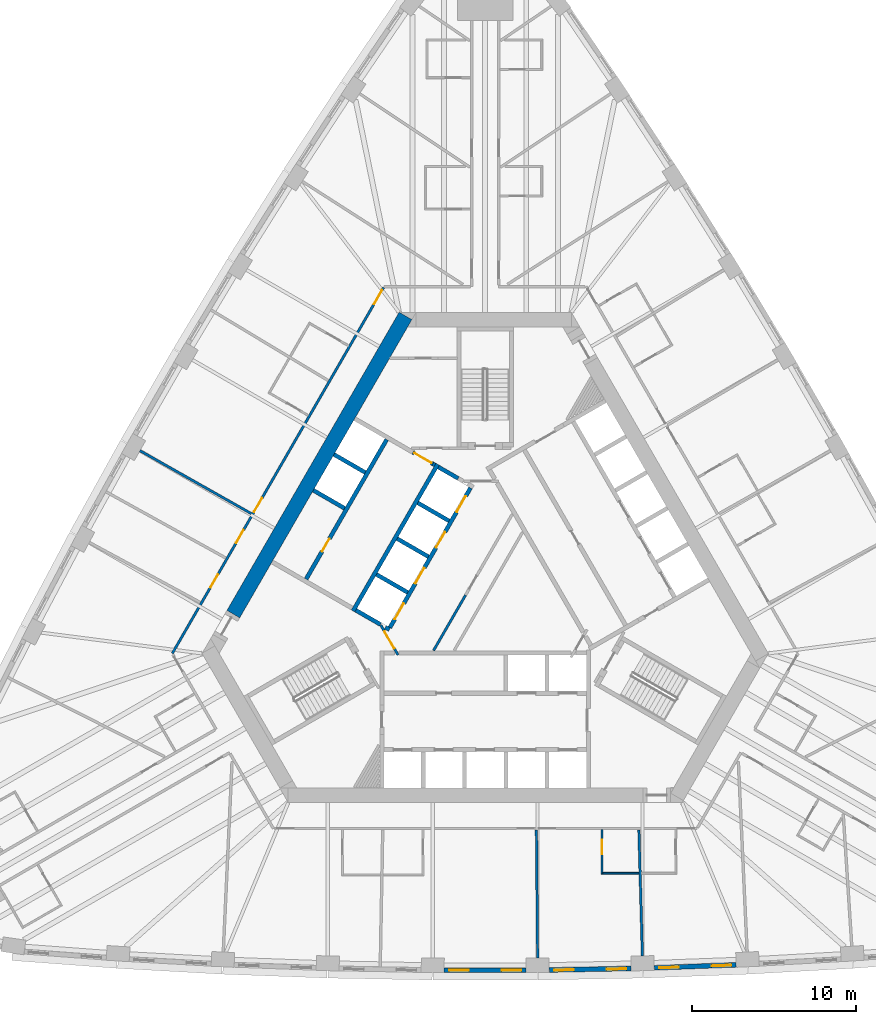
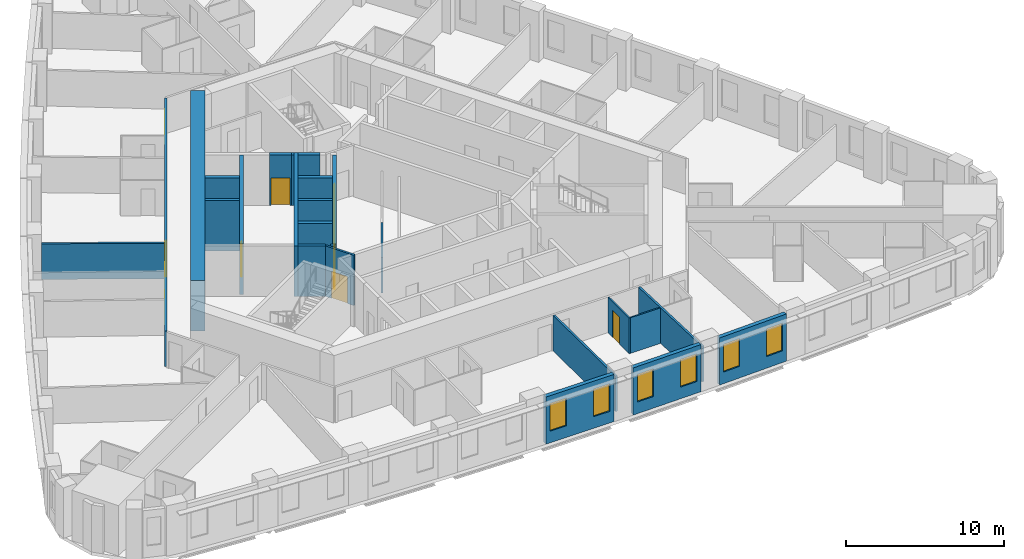
# One storey, part 5 of 12: 25 walls, 12 doors, 6 windows, 18 openings.
"""IFC4 building model written with IfcOpenShell, lengths in metres."""

from ifc_helpers import new_model, si_unit, direction, frame, frame_2d, origin, place, context, subcontext, project, spatial, polyline, rectangle, outline, extrude, material, layer, layer_set, type_object, element, fill, save


model = new_model("IFC4")

# Units and contexts
model_context = context("Model", 3, precision=1e-05, world=origin(), true_north=direction((0.0, 1.0)))
body_context = subcontext(model_context, "Body", "Model", "MODEL_VIEW")
ifc_project = project(units=[si_unit("LENGTHUNIT", "METRE"), si_unit("AREAUNIT", "SQUARE_METRE"), si_unit("VOLUMEUNIT", "CUBIC_METRE"), si_unit("PLANEANGLEUNIT", "RADIAN"), si_unit("MASSUNIT", "GRAM", prefix="KILO")], contexts=[model_context])

# Site, building, storey
site_placement = place(None, origin())
site = spatial("IfcSite", under=ifc_project, at=site_placement, CompositionType="ELEMENT")
building_placement = place(site_placement, origin())
building = spatial("IfcBuilding", under=site, at=building_placement, Name="Mestral Congress Tower", CompositionType="ELEMENT")
storey_placement = place(building_placement, frame((0.0, 0.0, 70.5)))
storey = spatial("IfcBuildingStorey", under=building, at=storey_placement, Name="L16", CompositionType="ELEMENT", Elevation=70.5)

# Walls
ifc_material_1 = material(Name="Fire-rated board partition")
ifc_layer_1 = layer(ifc_material_1, 0.14990234375)
ifc_layer_set_1 = layer_set([ifc_layer_1], Name="Fire-rated board partition")
wall_type_1 = type_object("IfcWallType", Name="Core partition 150", PredefinedType="PARTITIONING", material=ifc_layer_set_1)
wall_1_placement = place(storey_placement, frame((-3.146728515625, -3.71826171875, 0.0), z_axis=(0.0, 0.0, 1.0), x_axis=(0.500010131483, 0.866019554291, 0.0)))
element("IfcWall", 1, at=wall_1_placement, inside=storey, type_object=wall_type_1, Name="L16 core wall", PredefinedType="PARTITIONING", context=body_context, shape_type="SweptSolid", body=[
    extrude(rectangle(XDim=3.8935546875, YDim=0.14990234375, at=frame_2d((1.94677734375, 0.0))), origin(), (0.0, 0.0, 1.0), 2.75),
])
ifc_material_2 = material(Name="Concrete C60/75", Category="concrete")
ifc_layer_2 = layer(ifc_material_2, 0.89990234375)
ifc_layer_set_2 = layer_set([ifc_layer_2], Name="Concrete C60/75")
wall_type_2 = type_object("IfcWallType", Name="Core wall RC 900", PredefinedType="SOLIDWALL", material=ifc_layer_set_2)
wall_2_placement = place(storey_placement, frame((-15.359619140625, -1.50341796875, 0.0), z_axis=(0.0, 0.0, 1.0), x_axis=(0.50000389221, 0.866023156604, 0.0)))
element("IfcWall", 2, at=wall_2_placement, inside=storey, type_object=wall_type_2, Name="L16 core wall", PredefinedType="SOLIDWALL", context=body_context, shape_type="SweptSolid", body=[
    extrude(rectangle(XDim=21.000244140625, YDim=0.89990234375, at=frame_2d((10.5, 0.0))), origin(), (0.0, 0.0, 1.0), 3.89990234375),
])

# Wall, openings, windows
ifc_material_3 = material(Name="Precast concrete C40/50 with limestone facing", Category="masonry")
ifc_layer_3 = layer(ifc_material_3, 0.2900390625)
ifc_layer_set_3 = layer_set([ifc_layer_3], Name="Precast concrete C40/50 with limestone facing")
wall_type_3 = type_object("IfcWallType", Name="Facade stone wall 290", PredefinedType="SOLIDWALL", material=ifc_layer_set_3)
wall_3_placement = place(storey_placement, frame((-2.4990234375, -23.21826171875, 0.0), z_axis=(0.0, 0.0, 1.0), x_axis=(1.0, 0.0, 0.0)))
wall_3 = element("IfcWall", 3, at=wall_3_placement, inside=storey, type_object=wall_type_3, Name="Facade wall F0-04", PredefinedType="SOLIDWALL", context=body_context, shape_type="SweptSolid", body=[
    extrude(rectangle(XDim=4.998046875, YDim=0.2900390625, at=frame_2d((2.4990234375, 0.0))), origin(), (0.0, 0.0, 1.0), 3.64990234375),
])
opening_1_placement = place(wall_3_placement, frame((0.297119140625, 0.0, 0.89990234375)))
opening_1 = element("IfcOpeningElement", 4, at=opening_1_placement, cuts=wall_3, Name="Opening W1", PredefinedType="OPENING", context=body_context, shape_type="SweptSolid", body=[
    extrude(rectangle(XDim=1.199951171875, YDim=2.14990234375, at=frame_2d((0.60009765625, 1.074951171875))), frame((0.0, 0.155029296875, 0.0), z_axis=(0.0, -1.0, 0.0), x_axis=(1.0, 0.0, 0.0)), (0.0, 0.0, 1.0), 0.31005859375),
])
opening_2_placement = place(wall_3_placement, frame((3.501220703125, 0.0, 0.89990234375)))
opening_2 = element("IfcOpeningElement", 5, at=opening_2_placement, cuts=wall_3, Name="Opening W1", PredefinedType="OPENING", context=body_context, shape_type="SweptSolid", body=[
    extrude(rectangle(XDim=1.199951171875, YDim=2.14990234375, at=frame_2d((0.60009765625, 1.074951171875))), frame((0.0, 0.155029296875, 0.0), z_axis=(0.0, -1.0, 0.0), x_axis=(1.0, 0.0, 0.0)), (0.0, 0.0, 1.0), 0.31005859375),
])
ifc_material_4 = material(Name="Clear low-emissivity double glazing", Category="glass")
window_type = type_object("IfcWindowType", Name="Facade punched window 1200 x 2150 sill 900", PartitioningType="DOUBLE_PANEL_VERTICAL", PredefinedType="WINDOW", material=ifc_material_4)
window_1_placement = place(opening_1_placement, origin())
window_1 = element("IfcWindow", 6, at=window_1_placement, inside=storey, type_object=window_type, Name="Window F0-04a", OverallHeight=2.14990234375, OverallWidth=1.199951171875, PartitioningType="DOUBLE_PANEL_VERTICAL", PredefinedType="WINDOW", context=body_context, shape_type="SweptSolid", body=[
    extrude(rectangle(XDim=1.199951171875, YDim=2.14990234375, at=frame_2d((0.60009765625, 1.074951171875))), frame((0.0, 0.01513671875, 0.0), z_axis=(0.0, -1.0, 0.0), x_axis=(1.0, 0.0, 0.0)), (0.0, 0.0, 1.0), 0.06005859375),
])
fill(opening_1, window_1)
window_2_placement = place(opening_2_placement, origin())
window_2 = element("IfcWindow", 7, at=window_2_placement, inside=storey, type_object=window_type, Name="Window F0-04b", OverallHeight=2.14990234375, OverallWidth=1.199951171875, PartitioningType="DOUBLE_PANEL_VERTICAL", PredefinedType="WINDOW", context=body_context, shape_type="SweptSolid", body=[
    extrude(rectangle(XDim=1.199951171875, YDim=2.14990234375, at=frame_2d((0.60009765625, 1.074951171875))), frame((0.0, 0.01513671875, 0.0), z_axis=(0.0, -1.0, 0.0), x_axis=(1.0, 0.0, 0.0)), (0.0, 0.0, 1.0), 0.06005859375),
])
fill(opening_2, window_2)

wall_4_placement = place(storey_placement, frame((3.90625, -23.205078125, 0.0), z_axis=(0.0, 0.0, 1.0), x_axis=(0.999829529479, 0.018463801951, 0.0)))
wall_4 = element("IfcWall", 8, at=wall_4_placement, inside=storey, type_object=wall_type_3, Name="Facade wall F0-05", PredefinedType="SOLIDWALL", context=body_context, shape_type="SweptSolid", body=[
    extrude(rectangle(XDim=4.998046875, YDim=0.2900390625, at=frame_2d((2.4990234375, 0.0))), origin(), (0.0, 0.0, 1.0), 3.64990234375),
])
opening_3_placement = place(wall_4_placement, frame((0.297119140625, 0.0, 0.89990234375)))
opening_3 = element("IfcOpeningElement", 9, at=opening_3_placement, cuts=wall_4, Name="Opening W1", PredefinedType="OPENING", context=body_context, shape_type="SweptSolid", body=[
    extrude(rectangle(XDim=1.199951171875, YDim=2.14990234375, at=frame_2d((0.60009765625, 1.074951171875))), frame((0.0, 0.155029296875, 0.0), z_axis=(0.0, -1.0, 0.0), x_axis=(1.0, 0.0, 0.0)), (0.0, 0.0, 1.0), 0.31005859375),
])
opening_4_placement = place(wall_4_placement, frame((3.501220703125, 0.0, 0.89990234375)))
opening_4 = element("IfcOpeningElement", 10, at=opening_4_placement, cuts=wall_4, Name="Opening W1", PredefinedType="OPENING", context=body_context, shape_type="SweptSolid", body=[
    extrude(rectangle(XDim=1.199951171875, YDim=2.14990234375, at=frame_2d((0.60009765625, 1.074951171875))), frame((0.0, 0.155029296875, 0.0), z_axis=(0.0, -1.0, 0.0), x_axis=(1.0, 0.0, 0.0)), (0.0, 0.0, 1.0), 0.31005859375),
])
window_3_placement = place(opening_3_placement, origin())
window_3 = element("IfcWindow", 11, at=window_3_placement, inside=storey, type_object=window_type, Name="Window F0-05a", OverallHeight=2.14990234375, OverallWidth=1.199951171875, PartitioningType="DOUBLE_PANEL_VERTICAL", PredefinedType="WINDOW", context=body_context, shape_type="SweptSolid", body=[
    extrude(rectangle(XDim=1.199951171875, YDim=2.14990234375, at=frame_2d((0.60009765625, 1.074951171875))), frame((0.0, 0.01513671875, 0.0), z_axis=(0.0, -1.0, 0.0), x_axis=(1.0, 0.0, 0.0)), (0.0, 0.0, 1.0), 0.06005859375),
])
fill(opening_3, window_3)
window_4_placement = place(opening_4_placement, origin())
window_4 = element("IfcWindow", 12, at=window_4_placement, inside=storey, type_object=window_type, Name="Window F0-05b", OverallHeight=2.14990234375, OverallWidth=1.199951171875, PartitioningType="DOUBLE_PANEL_VERTICAL", PredefinedType="WINDOW", context=body_context, shape_type="SweptSolid", body=[
    extrude(rectangle(XDim=1.199951171875, YDim=2.14990234375, at=frame_2d((0.60009765625, 1.074951171875))), frame((0.0, 0.01513671875, 0.0), z_axis=(0.0, -1.0, 0.0), x_axis=(1.0, 0.0, 0.0)), (0.0, 0.0, 1.0), 0.06005859375),
])
fill(opening_4, window_4)

wall_5_placement = place(storey_placement, frame((10.310302734375, -23.07373046875, 0.0), z_axis=(0.0, 0.0, 1.0), x_axis=(0.999317974969, 0.036926750529, 0.0)))
wall_5 = element("IfcWall", 13, at=wall_5_placement, inside=storey, type_object=wall_type_3, Name="Facade wall F0-06", PredefinedType="SOLIDWALL", context=body_context, shape_type="SweptSolid", body=[
    extrude(rectangle(XDim=4.998291015625, YDim=0.2900390625, at=frame_2d((2.4990234375, 0.0))), origin(), (0.0, 0.0, 1.0), 3.64990234375),
])
opening_5_placement = place(wall_5_placement, frame((0.297119140625, 0.0, 0.89990234375)))
opening_5 = element("IfcOpeningElement", 14, at=opening_5_placement, cuts=wall_5, Name="Opening W1", PredefinedType="OPENING", context=body_context, shape_type="SweptSolid", body=[
    extrude(rectangle(XDim=1.199951171875, YDim=2.14990234375, at=frame_2d((0.60009765625, 1.074951171875))), frame((0.0, 0.155029296875, 0.0), z_axis=(0.0, -1.0, 0.0), x_axis=(1.0, 0.0, 0.0)), (0.0, 0.0, 1.0), 0.31005859375),
])
opening_6_placement = place(wall_5_placement, frame((3.501220703125, 0.0, 0.89990234375)))
opening_6 = element("IfcOpeningElement", 15, at=opening_6_placement, cuts=wall_5, Name="Opening W1", PredefinedType="OPENING", context=body_context, shape_type="SweptSolid", body=[
    extrude(rectangle(XDim=1.199951171875, YDim=2.14990234375, at=frame_2d((0.60009765625, 1.074951171875))), frame((0.0, 0.155029296875, 0.0), z_axis=(0.0, -1.0, 0.0), x_axis=(1.0, 0.0, 0.0)), (0.0, 0.0, 1.0), 0.31005859375),
])
window_5_placement = place(opening_5_placement, origin())
window_5 = element("IfcWindow", 16, at=window_5_placement, inside=storey, type_object=window_type, Name="Window F0-06a", OverallHeight=2.14990234375, OverallWidth=1.199951171875, PartitioningType="DOUBLE_PANEL_VERTICAL", PredefinedType="WINDOW", context=body_context, shape_type="SweptSolid", body=[
    extrude(rectangle(XDim=1.199951171875, YDim=2.14990234375, at=frame_2d((0.60009765625, 1.074951171875))), frame((0.0, 0.01513671875, 0.0), z_axis=(0.0, -1.0, 0.0), x_axis=(1.0, 0.0, 0.0)), (0.0, 0.0, 1.0), 0.06005859375),
])
fill(opening_5, window_5)
window_6_placement = place(opening_6_placement, origin())
window_6 = element("IfcWindow", 17, at=window_6_placement, inside=storey, type_object=window_type, Name="Window F0-06b", OverallHeight=2.14990234375, OverallWidth=1.199951171875, PartitioningType="DOUBLE_PANEL_VERTICAL", PredefinedType="WINDOW", context=body_context, shape_type="SweptSolid", body=[
    extrude(rectangle(XDim=1.199951171875, YDim=2.14990234375, at=frame_2d((0.60009765625, 1.074951171875))), frame((0.0, 0.01513671875, 0.0), z_axis=(0.0, -1.0, 0.0), x_axis=(1.0, 0.0, 0.0)), (0.0, 0.0, 1.0), 0.06005859375),
])
fill(opening_6, window_6)

# Wall, opening, door
ifc_material_5 = material(Name="Gypsum board partition on metal studs with mineral wool", Category="composite")
ifc_layer_4 = layer(ifc_material_5, 0.10009765625)
ifc_layer_set_4 = layer_set([ifc_layer_4], Name="Gypsum board partition on metal studs with mineral wool")
wall_type_4 = type_object("IfcWallType", Name="Hotel partition wall 100", PredefinedType="PARTITIONING", material=ifc_layer_set_4)
wall_6_placement = place(storey_placement, frame((7.119140625, -14.64990234375, 0.0), z_axis=(0.0, 0.0, 1.0), x_axis=(0.0, -1.0, 0.0)))
wall_6 = element("IfcWall", 18, at=wall_6_placement, inside=storey, type_object=wall_type_4, Name="L16-h-pod04a", PredefinedType="PARTITIONING", context=body_context, shape_type="SweptSolid", body=[
    extrude(rectangle(XDim=2.7001953125, YDim=0.10009765625, at=frame_2d((1.35009765625, 0.0))), origin(), (0.0, 0.0, 1.0), 2.75),
])
opening_7_placement = place(wall_6_placement, frame((0.60009765625, 0.0, 0.0)))
opening_7 = element("IfcOpeningElement", 19, at=opening_7_placement, cuts=wall_6, Name="Opening H04-008", PredefinedType="OPENING", context=body_context, shape_type="SweptSolid", body=[
    extrude(rectangle(XDim=0.89990234375, YDim=2.10009765625, at=frame_2d((0.449951171875, 1.050048828125))), frame((0.0, 0.06005859375, 0.0), z_axis=(0.0, -1.0, 0.0), x_axis=(1.0, 0.0, 0.0)), (0.0, 0.0, 1.0), 0.1201171875),
])
ifc_material_6 = material(Name="Timber veneer door leaf in timber frame", Category="wood")
door_type_1 = type_object("IfcDoorType", Name="Bathroom door 900", OperationType="SINGLE_SWING_LEFT", PredefinedType="DOOR", material=ifc_material_6)
door_1_placement = place(opening_7_placement, origin())
door_1 = element("IfcDoor", 20, at=door_1_placement, inside=storey, type_object=door_type_1, Name="L16-h-d008", OperationType="SINGLE_SWING_LEFT", OverallHeight=2.10009765625, OverallWidth=0.89990234375, PredefinedType="DOOR", context=body_context, shape_type="SweptSolid", body=[
    extrude(rectangle(XDim=0.89990234375, YDim=2.10009765625, at=frame_2d((0.449951171875, 1.050048828125))), frame((0.0, 0.02490234375, 0.0), z_axis=(0.0, -1.0, 0.0), x_axis=(1.0, 0.0, 0.0)), (0.0, 0.0, 1.0), 0.050048828125),
])
fill(opening_7, door_1)

# Wall
wall_7_placement = place(storey_placement, frame((7.169189453125, -17.300048828125, 0.0), z_axis=(0.0, 0.0, 1.0), x_axis=(1.0, 0.0, 0.0)))
element("IfcWall", 21, at=wall_7_placement, inside=storey, type_object=wall_type_4, Name="L16-h-pod04b", PredefinedType="PARTITIONING", context=body_context, shape_type="SweptSolid", body=[
    extrude(rectangle(XDim=2.199951171875, YDim=0.10009765625, at=frame_2d((1.10009765625, 0.0))), origin(), (0.0, 0.0, 1.0), 2.75),
])

# Wall, openings, doors
ifc_layer_5 = layer(ifc_material_5, 0.14990234375)
ifc_layer_set_5 = layer_set([ifc_layer_5], Name="Gypsum board partition on metal studs with mineral wool")
wall_type_5 = type_object("IfcWallType", Name="Hotel partition wall 150", PredefinedType="PARTITIONING", material=ifc_layer_set_5)
wall_8_placement = place(storey_placement, frame((-19.081298828125, -3.89990234375, 0.0), z_axis=(0.0, 0.0, 1.0), x_axis=(0.499998313975, 0.866026377209, 0.0)))
wall_8 = element("IfcWall", 22, at=wall_8_placement, inside=storey, type_object=wall_type_5, Name="L16-h-cw08", PredefinedType="PARTITIONING", context=body_context, shape_type="SweptSolid", body=[
    extrude(rectangle(XDim=25.76611328125, YDim=0.14990234375, at=frame_2d((12.883056640625, 0.0))), origin(), (0.0, 0.0, 1.0), 2.75),
])
opening_8_placement = place(wall_8_placement, frame((24.58642578125, 0.0, 0.0)))
opening_8 = element("IfcOpeningElement", 23, at=opening_8_placement, cuts=wall_8, Name="Opening H04-035", PredefinedType="OPENING", context=body_context, shape_type="SweptSolid", body=[
    extrude(rectangle(XDim=1.0, YDim=2.10009765625, at=frame_2d((0.5, 1.050048828125))), frame((0.0, 0.0849609375, 0.0), z_axis=(0.0, -1.0, 0.0), x_axis=(1.0, 0.0, 0.0)), (0.0, 0.0, 1.0), 0.169921875),
])
opening_9_placement = place(wall_8_placement, frame((9.94775390625, 0.0, 0.0)))
opening_9 = element("IfcOpeningElement", 24, at=opening_9_placement, cuts=wall_8, Name="Opening H04-037", PredefinedType="OPENING", context=body_context, shape_type="SweptSolid", body=[
    extrude(rectangle(XDim=1.0, YDim=2.10009765625, at=frame_2d((0.5, 1.050048828125))), frame((0.0, 0.0849609375, 0.0), z_axis=(0.0, -1.0, 0.0), x_axis=(1.0, 0.0, 0.0)), (0.0, 0.0, 1.0), 0.169921875),
])
opening_10_placement = place(wall_8_placement, frame((7.7822265625, 0.0, 0.0)))
opening_10 = element("IfcOpeningElement", 25, at=opening_10_placement, cuts=wall_8, Name="Opening H04-039", PredefinedType="OPENING", context=body_context, shape_type="SweptSolid", body=[
    extrude(rectangle(XDim=0.89990234375, YDim=2.10009765625, at=frame_2d((0.449951171875, 1.050048828125))), frame((0.0, 0.0849609375, 0.0), z_axis=(0.0, -1.0, 0.0), x_axis=(1.0, 0.0, 0.0)), (0.0, 0.0, 1.0), 0.169921875),
])
opening_11_placement = place(wall_8_placement, frame((4.65771484375, 0.0, 0.0)))
opening_11 = element("IfcOpeningElement", 26, at=opening_11_placement, cuts=wall_8, Name="Opening H04-040", PredefinedType="OPENING", context=body_context, shape_type="SweptSolid", body=[
    extrude(rectangle(XDim=0.89990234375, YDim=2.10009765625, at=frame_2d((0.449951171875, 1.050048828125))), frame((0.0, 0.0849609375, 0.0), z_axis=(0.0, -1.0, 0.0), x_axis=(1.0, 0.0, 0.0)), (0.0, 0.0, 1.0), 0.169921875),
])
ifc_material_7 = material(Name="Timber veneer door leaf in metal frame", Category="wood")
door_type_2 = type_object("IfcDoorType", Name="Guest room entrance door 1000", OperationType="SINGLE_SWING_LEFT", PredefinedType="DOOR", material=ifc_material_7)
door_2_placement = place(opening_8_placement, origin())
door_2 = element("IfcDoor", 27, at=door_2_placement, inside=storey, type_object=door_type_2, Name="L16-h-d035", OperationType="SINGLE_SWING_RIGHT", OverallHeight=2.10009765625, OverallWidth=1.0, PredefinedType="DOOR", context=body_context, shape_type="SweptSolid", body=[
    extrude(rectangle(XDim=1.0, YDim=2.10009765625, at=frame_2d((0.5, 1.050048828125))), frame((0.0, 0.02490234375, 0.0), z_axis=(0.0, -1.0, 0.0), x_axis=(1.0, 0.0, 0.0)), (0.0, 0.0, 1.0), 0.050048828125),
])
fill(opening_8, door_2)
door_3_placement = place(opening_9_placement, origin())
door_3 = element("IfcDoor", 28, at=door_3_placement, inside=storey, type_object=door_type_2, Name="L16-h-d037", OperationType="SINGLE_SWING_LEFT", OverallHeight=2.10009765625, OverallWidth=1.0, PredefinedType="DOOR", context=body_context, shape_type="SweptSolid", body=[
    extrude(rectangle(XDim=1.0, YDim=2.10009765625, at=frame_2d((0.5, 1.050048828125))), frame((0.0, 0.02490234375, 0.0), z_axis=(0.0, -1.0, 0.0), x_axis=(1.0, 0.0, 0.0)), (0.0, 0.0, 1.0), 0.050048828125),
])
fill(opening_9, door_3)
door_type_3 = type_object("IfcDoorType", Name="Service room door 900", OperationType="SINGLE_SWING_LEFT", PredefinedType="DOOR", material=ifc_material_7)
door_4_placement = place(opening_10_placement, origin())
door_4 = element("IfcDoor", 29, at=door_4_placement, inside=storey, type_object=door_type_3, Name="L16-h-d039", OperationType="SINGLE_SWING_RIGHT", OverallHeight=2.10009765625, OverallWidth=0.89990234375, PredefinedType="DOOR", context=body_context, shape_type="SweptSolid", body=[
    extrude(rectangle(XDim=0.89990234375, YDim=2.10009765625, at=frame_2d((0.449951171875, 1.050048828125))), frame((0.0, 0.02490234375, 0.0), z_axis=(0.0, -1.0, 0.0), x_axis=(1.0, 0.0, 0.0)), (0.0, 0.0, 1.0), 0.050048828125),
])
fill(opening_10, door_4)
door_5_placement = place(opening_11_placement, origin())
door_5 = element("IfcDoor", 30, at=door_5_placement, inside=storey, type_object=door_type_3, Name="L16-h-d040", OperationType="SINGLE_SWING_LEFT", OverallHeight=2.10009765625, OverallWidth=0.89990234375, PredefinedType="DOOR", context=body_context, shape_type="SweptSolid", body=[
    extrude(rectangle(XDim=0.89990234375, YDim=2.10009765625, at=frame_2d((0.449951171875, 1.050048828125))), frame((0.0, 0.02490234375, 0.0), z_axis=(0.0, -1.0, 0.0), x_axis=(1.0, 0.0, 0.0)), (0.0, 0.0, 1.0), 0.050048828125),
])
fill(opening_11, door_5)

# Walls
for number, where, z_axis, x_axis, name in (
    (31, (-21.051513671875, 8.464111328125, 0.0), (0.0, 0.0, 1.0), (0.87059371954, -0.492002617368, 0.0), "L16-h-pw06"),
    (32, (3.19580078125, -22.463134765625, 0.0), (0.0, 0.0, 1.0), (-0.00926060032, 0.999957119721, 0.0), "L16-h-pw14"),
):
    element("IfcWall", number, at=place(storey_placement, frame(where, z_axis=z_axis, x_axis=x_axis)), inside=storey, type_object=wall_type_5, Name=name, PredefinedType="PARTITIONING", context=body_context, shape_type="SweptSolid", body=[
        extrude(rectangle(XDim=7.803466796875, YDim=0.14990234375, at=frame_2d((3.90185546875, 0.0))), origin(), (0.0, 0.0, 1.0), 2.75),
    ])
wall_9_placement = place(storey_placement, frame((9.586181640625, -22.34521484375, 0.0), z_axis=(0.0, 0.0, 1.0), x_axis=(-0.027722115646, 0.999615668297, 0.0)))
element("IfcWall", 33, at=wall_9_placement, inside=storey, type_object=wall_type_5, Name="L16-h-pw17", PredefinedType="PARTITIONING", context=body_context, shape_type="SweptSolid", body=[
    extrude(rectangle(XDim=7.688232421875, YDim=0.14990234375, at=frame_2d((3.84423828125, 0.0))), origin(), (0.0, 0.0, 1.0), 2.75),
])
ifc_layer_6 = layer(ifc_material_2, 0.25)
ifc_layer_set_6 = layer_set([ifc_layer_6], Name="Concrete C60/75")
wall_type_6 = type_object("IfcWallType", Name="Shaft wall RC 250", PredefinedType="SOLIDWALL", material=ifc_layer_set_6)
wall_10_placement = place(storey_placement, frame((-8.06005859375, -1.310546875, 0.0), z_axis=(0.0, 0.0, 1.0), x_axis=(0.50000273126, 0.866023826885, 0.0)))
element("IfcWall", 34, at=wall_10_placement, inside=storey, type_object=wall_type_6, Name="L16 core wall", PredefinedType="SOLIDWALL", context=body_context, shape_type="SweptSolid", body=[
    extrude(rectangle(XDim=10.330078125, YDim=0.25, at=frame_2d((5.1650390625, 0.0))), origin(), (0.0, 0.0, 1.0), 3.89990234375),
])
wall_11_placement = place(storey_placement, frame((-1.6474609375, 6.770751953125, 0.0), z_axis=(0.0, 0.0, 1.0), x_axis=(-0.865971728693, 0.500092956464, 0.0)))
element("IfcWall", 35, at=wall_11_placement, inside=storey, type_object=wall_type_6, Name="L16 core wall", PredefinedType="SOLIDWALL", context=body_context, shape_type="SweptSolid", body=[
    extrude(rectangle(XDim=1.387939453125, YDim=0.25, at=frame_2d((0.69384765625, 0.0))), origin(), (0.0, 0.0, 1.0), 3.89990234375),
])
for number, where, z_axis, x_axis, name in (
    (36, (-2.2041015625, 4.182373046875, 0.0), (0.0, 0.0, 1.0), (-0.866008176907, 0.50002983664, 0.0), "L16 core wall"),
    (37, (-5.369384765625, 3.10009765625, 0.0), (0.0, 0.0, 1.0), (0.866008176907, -0.50002983664, 0.0), "L16 core wall"),
    (38, (-4.72412109375, -0.182373046875, 0.0), (0.0, 0.0, 1.0), (-0.866008176907, 0.50002983664, 0.0), "L16 core wall"),
):
    element("IfcWall", number, at=place(storey_placement, frame(where, z_axis=z_axis, x_axis=x_axis)), inside=storey, type_object=wall_type_6, Name=name, PredefinedType="SOLIDWALL", context=body_context, shape_type="SweptSolid", body=[
        extrude(rectangle(XDim=2.199951171875, YDim=0.25, at=frame_2d((1.10009765625, 0.0))), origin(), (0.0, 0.0, 1.0), 3.89990234375),
    ])
wall_12_placement = place(storey_placement, frame((-6.088134765625, -2.3046875, 0.0), z_axis=(0.0, 0.0, 1.0), x_axis=(0.866059450854, -0.499941024108, 0.0)))
element("IfcWall", 39, at=wall_12_placement, inside=storey, type_object=wall_type_6, Name="L16 core wall", PredefinedType="SOLIDWALL", context=body_context, shape_type="SweptSolid", body=[
    extrude(rectangle(XDim=0.2900390625, YDim=0.25, at=frame_2d((0.14501953125, 0.0))), origin(), (0.0, 0.0, 1.0), 3.89990234375),
])
wall_13_placement = place(storey_placement, frame((-7.889404296875, -1.2646484375, 0.0), z_axis=(0.0, 0.0, 1.0), x_axis=(0.865986741702, -0.500066958712, 0.0)))
element("IfcWall", 40, at=wall_13_placement, inside=storey, type_object=wall_type_6, Name="L16 core wall", PredefinedType="SOLIDWALL", context=body_context, shape_type="SweptSolid", body=[
    extrude(rectangle(XDim=1.738037109375, YDim=0.25, at=frame_2d((0.869140625, 0.0))), origin(), (0.0, 0.0, 1.0), 3.89990234375),
])
wall_14_placement = place(storey_placement, origin())
element("IfcWall", 41, at=wall_14_placement, inside=storey, type_object=wall_type_6, Name="L16 core wall", PredefinedType="SOLIDWALL", context=body_context, shape_type="SweptSolid", body=[
    extrude(outline(polyline([(-3.12841796875, 7.4814453125), (-3.2587890625, 7.556640625), (-3.1337890625, 7.773193359375), (-3.00341796875, 7.697998046875), (-3.12841796875, 7.4814453125)])), origin(), (0.0, 0.0, 1.0), 3.89990234375),
])
for number, where, z_axis, x_axis, name in (
    (42, (-8.57373046875, 4.949951171875, 0.0), (0.0, 0.0, 1.0), (-0.866008176907, 0.50002983664, 0.0), "L16 core wall"),
    (43, (-7.313720703125, 7.13232421875, 0.0), (0.0, 0.0, 1.0), (-0.866008176907, 0.50002983664, 0.0), "L16 core wall"),
):
    element("IfcWall", number, at=place(storey_placement, frame(where, z_axis=z_axis, x_axis=x_axis)), inside=storey, type_object=wall_type_6, Name=name, PredefinedType="SOLIDWALL", context=body_context, shape_type="SweptSolid", body=[
        extrude(rectangle(XDim=2.199951171875, YDim=0.25, at=frame_2d((1.10009765625, 0.0))), origin(), (0.0, 0.0, 1.0), 3.89990234375),
    ])

# Wall, opening, door
wall_15_placement = place(storey_placement, frame((-6.0078125, 9.14404296875, 0.0), z_axis=(0.0, 0.0, 1.0), x_axis=(-0.500006956611, -0.866021387346, 0.0)))
wall_15 = element("IfcWall", 44, at=wall_15_placement, inside=storey, type_object=wall_type_6, Name="L16 door wall", PredefinedType="SOLIDWALL", context=body_context, shape_type="SweptSolid", body=[
    extrude(rectangle(XDim=9.829833984375, YDim=0.25, at=frame_2d((4.9150390625, 0.0))), origin(), (0.0, 0.0, 1.0), 3.89990234375),
])
opening_12_placement = place(wall_15_placement, frame((6.985107421875, 0.0, 0.0)))
opening_12 = element("IfcOpeningElement", 45, at=opening_12_placement, cuts=wall_15, Name="Opening SR-NWA2", PredefinedType="OPENING", context=body_context, shape_type="SweptSolid", body=[
    extrude(rectangle(XDim=0.89990234375, YDim=2.10009765625, at=frame_2d((0.449951171875, 1.050048828125))), frame((0.0, 0.135009765625, 0.0), z_axis=(0.0, -1.0, 0.0), x_axis=(1.0, 0.0, 0.0)), (0.0, 0.0, 1.0), 0.27001953125),
])
ifc_material_8 = material(Name="Fire-rated steel door set", Category="steel")
door_type_4 = type_object("IfcDoorType", Name="Core door SR 900x2100", OperationType="SINGLE_SWING_LEFT", PredefinedType="DOOR", material=ifc_material_8)
door_6_placement = place(opening_12_placement, origin())
door_6 = element("IfcDoor", 46, at=door_6_placement, inside=storey, type_object=door_type_4, Name="Door SR-NWA2", OperationType="SINGLE_SWING_LEFT", OverallHeight=2.10009765625, OverallWidth=0.89990234375, PredefinedType="DOOR", context=body_context, shape_type="SweptSolid", body=[
    extrude(rectangle(XDim=0.89990234375, YDim=2.10009765625, at=frame_2d((0.449951171875, 1.050048828125))), frame((0.0, 0.02490234375, 0.0), z_axis=(0.0, -1.0, 0.0), x_axis=(1.0, 0.0, 0.0)), (0.0, 0.0, 1.0), 0.050048828125),
])
fill(opening_12, door_6)

# Wall, openings, doors
wall_16_placement = place(storey_placement, frame((-0.898193359375, 6.194091796875, 0.0), z_axis=(0.0, 0.0, 1.0), x_axis=(-0.499996202215, -0.866027596426, 0.0)))
wall_16 = element("IfcWall", 47, at=wall_16_placement, inside=storey, type_object=wall_type_6, Name="L16 door wall", PredefinedType="SOLIDWALL", context=body_context, shape_type="SweptSolid", body=[
    extrude(rectangle(XDim=9.830078125, YDim=0.25, at=frame_2d((4.9150390625, 0.0))), origin(), (0.0, 0.0, 1.0), 3.89990234375),
])
opening_13_placement = place(wall_16_placement, frame((0.5849609375, 0.0, 0.0)))
opening_13 = element("IfcOpeningElement", 48, at=opening_13_placement, cuts=wall_16, Name="Opening LD-NWB1", PredefinedType="OPENING", context=body_context, shape_type="SweptSolid", body=[
    extrude(rectangle(XDim=1.10009765625, YDim=2.10009765625, at=frame_2d((0.550048828125, 1.050048828125))), frame((0.0, 0.135009765625, 0.0), z_axis=(0.0, -1.0, 0.0), x_axis=(1.0, 0.0, 0.0)), (0.0, 0.0, 1.0), 0.27001953125),
])
opening_14_placement = place(wall_16_placement, frame((3.10498046875, 0.0, 0.0)))
opening_14 = element("IfcOpeningElement", 49, at=opening_14_placement, cuts=wall_16, Name="Opening LD-NWB2", PredefinedType="OPENING", context=body_context, shape_type="SweptSolid", body=[
    extrude(rectangle(XDim=1.10009765625, YDim=2.10009765625, at=frame_2d((0.550048828125, 1.050048828125))), frame((0.0, 0.135009765625, 0.0), z_axis=(0.0, -1.0, 0.0), x_axis=(1.0, 0.0, 0.0)), (0.0, 0.0, 1.0), 0.27001953125),
])
opening_15_placement = place(wall_16_placement, frame((5.625, 0.0, 0.0)))
opening_15 = element("IfcOpeningElement", 50, at=opening_15_placement, cuts=wall_16, Name="Opening LD-NWB3", PredefinedType="OPENING", context=body_context, shape_type="SweptSolid", body=[
    extrude(rectangle(XDim=1.10009765625, YDim=2.10009765625, at=frame_2d((0.550048828125, 1.050048828125))), frame((0.0, 0.135009765625, 0.0), z_axis=(0.0, -1.0, 0.0), x_axis=(1.0, 0.0, 0.0)), (0.0, 0.0, 1.0), 0.27001953125),
])
opening_16_placement = place(wall_16_placement, frame((8.14501953125, 0.0, 0.0)))
opening_16 = element("IfcOpeningElement", 51, at=opening_16_placement, cuts=wall_16, Name="Opening LD-NWB4", PredefinedType="OPENING", context=body_context, shape_type="SweptSolid", body=[
    extrude(rectangle(XDim=1.10009765625, YDim=2.10009765625, at=frame_2d((0.550048828125, 1.050048828125))), frame((0.0, 0.135009765625, 0.0), z_axis=(0.0, -1.0, 0.0), x_axis=(1.0, 0.0, 0.0)), (0.0, 0.0, 1.0), 0.27001953125),
])
door_type_5 = type_object("IfcDoorType", Name="Core door LD 1100x2100", OperationType="DOUBLE_DOOR_SLIDING", PredefinedType="DOOR", material=ifc_material_8)
door_7_placement = place(opening_13_placement, origin())
door_7 = element("IfcDoor", 52, at=door_7_placement, inside=storey, type_object=door_type_5, Name="Door LD-NWB1", OperationType="DOUBLE_DOOR_SLIDING", OverallHeight=2.10009765625, OverallWidth=1.10009765625, PredefinedType="DOOR", context=body_context, shape_type="SweptSolid", body=[
    extrude(rectangle(XDim=1.10009765625, YDim=2.10009765625, at=frame_2d((0.550048828125, 1.050048828125))), frame((0.0, 0.02490234375, 0.0), z_axis=(0.0, -1.0, 0.0), x_axis=(1.0, 0.0, 0.0)), (0.0, 0.0, 1.0), 0.050048828125),
])
fill(opening_13, door_7)
door_8_placement = place(opening_14_placement, origin())
door_8 = element("IfcDoor", 53, at=door_8_placement, inside=storey, type_object=door_type_5, Name="Door LD-NWB2", OperationType="DOUBLE_DOOR_SLIDING", OverallHeight=2.10009765625, OverallWidth=1.10009765625, PredefinedType="DOOR", context=body_context, shape_type="SweptSolid", body=[
    extrude(rectangle(XDim=1.10009765625, YDim=2.10009765625, at=frame_2d((0.550048828125, 1.050048828125))), frame((0.0, 0.02490234375, 0.0), z_axis=(0.0, -1.0, 0.0), x_axis=(1.0, 0.0, 0.0)), (0.0, 0.0, 1.0), 0.050048828125),
])
fill(opening_14, door_8)
door_9_placement = place(opening_15_placement, origin())
door_9 = element("IfcDoor", 54, at=door_9_placement, inside=storey, type_object=door_type_5, Name="Door LD-NWB3", OperationType="DOUBLE_DOOR_SLIDING", OverallHeight=2.10009765625, OverallWidth=1.10009765625, PredefinedType="DOOR", context=body_context, shape_type="SweptSolid", body=[
    extrude(rectangle(XDim=1.10009765625, YDim=2.10009765625, at=frame_2d((0.550048828125, 1.050048828125))), frame((0.0, 0.02490234375, 0.0), z_axis=(0.0, -1.0, 0.0), x_axis=(1.0, 0.0, 0.0)), (0.0, 0.0, 1.0), 0.050048828125),
])
fill(opening_15, door_9)
door_10_placement = place(opening_16_placement, origin())
door_10 = element("IfcDoor", 55, at=door_10_placement, inside=storey, type_object=door_type_5, Name="Door LD-NWB4", OperationType="DOUBLE_DOOR_SLIDING", OverallHeight=2.10009765625, OverallWidth=1.10009765625, PredefinedType="DOOR", context=body_context, shape_type="SweptSolid", body=[
    extrude(rectangle(XDim=1.10009765625, YDim=2.10009765625, at=frame_2d((0.550048828125, 1.050048828125))), frame((0.0, 0.02490234375, 0.0), z_axis=(0.0, -1.0, 0.0), x_axis=(1.0, 0.0, 0.0)), (0.0, 0.0, 1.0), 0.050048828125),
])
fill(opening_16, door_10)

# Wall, opening, door
wall_17_placement = place(storey_placement, frame((-4.40869140625, 8.364990234375, 0.0), z_axis=(0.0, 0.0, 1.0), x_axis=(0.866034573852, -0.49998411664, 0.0)))
wall_17 = element("IfcWall", 56, at=wall_17_placement, inside=storey, type_object=wall_type_6, Name="L16 door wall", PredefinedType="SOLIDWALL", context=body_context, shape_type="SweptSolid", body=[
    extrude(rectangle(XDim=1.39990234375, YDim=0.25, at=frame_2d((0.699951171875, 0.0))), origin(), (0.0, 0.0, 1.0), 3.89990234375),
])
opening_17_placement = place(wall_17_placement, frame((0.10009765625, 0.0, 0.0)))
opening_17 = element("IfcOpeningElement", 57, at=opening_17_placement, cuts=wall_17, Name="Opening LB2-WL2", PredefinedType="OPENING", context=body_context, shape_type="SweptSolid", body=[
    extrude(rectangle(XDim=1.199951171875, YDim=2.10009765625, at=frame_2d((0.60009765625, 1.050048828125))), frame((0.0, 0.135009765625, 0.0), z_axis=(0.0, -1.0, 0.0), x_axis=(1.0, 0.0, 0.0)), (0.0, 0.0, 1.0), 0.27001953125),
])
door_type_6 = type_object("IfcDoorType", Name="Core door LB 1200x2100", OperationType="SINGLE_SWING_LEFT", PredefinedType="DOOR", material=ifc_material_8)
door_11_placement = place(opening_17_placement, origin())
door_11 = element("IfcDoor", 58, at=door_11_placement, inside=storey, type_object=door_type_6, Name="Door LB2-WL2", OperationType="SINGLE_SWING_LEFT", OverallHeight=2.10009765625, OverallWidth=1.199951171875, PredefinedType="DOOR", context=body_context, shape_type="SweptSolid", body=[
    extrude(rectangle(XDim=1.199951171875, YDim=2.10009765625, at=frame_2d((0.60009765625, 1.050048828125))), frame((0.0, 0.02490234375, 0.0), z_axis=(0.0, -1.0, 0.0), x_axis=(1.0, 0.0, 0.0)), (0.0, 0.0, 1.0), 0.050048828125),
])
fill(opening_17, door_11)

ifc_layer_7 = layer(ifc_material_2, 0.14990234375)
ifc_layer_set_7 = layer_set([ifc_layer_7], Name="Concrete C60/75")
wall_type_7 = type_object("IfcWallType", Name="Shaft wall RC 250 door-wall 150", PredefinedType="SOLIDWALL", material=ifc_layer_set_7)
wall_18_placement = place(storey_placement, frame((-5.3173828125, -3.98974609375, 0.0), z_axis=(0.0, 0.0, 1.0), x_axis=(-0.500027713859, 0.866009402589, 0.0)))
wall_18 = element("IfcWall", 59, at=wall_18_placement, inside=storey, type_object=wall_type_7, Name="L16 door wall", PredefinedType="PARTITIONING", context=body_context, shape_type="SweptSolid", body=[
    extrude(rectangle(XDim=2.10009765625, YDim=0.14990234375, at=frame_2d((1.050048828125, 0.0))), origin(), (0.0, 0.0, 1.0), 3.89990234375),
])
opening_18_placement = place(wall_18_placement, frame((0.449951171875, 0.0, 0.0)))
opening_18 = element("IfcOpeningElement", 60, at=opening_18_placement, cuts=wall_18, Name="Opening CD3-FF", PredefinedType="OPENING", context=body_context, shape_type="SweptSolid", body=[
    extrude(rectangle(XDim=1.199951171875, YDim=2.10009765625, at=frame_2d((0.60009765625, 1.050048828125))), frame((0.0, 0.0849609375, 0.0), z_axis=(0.0, -1.0, 0.0), x_axis=(1.0, 0.0, 0.0)), (0.0, 0.0, 1.0), 0.169921875),
])
door_type_7 = type_object("IfcDoorType", Name="Core door CD 1200x2100", OperationType="SINGLE_SWING_LEFT", PredefinedType="DOOR", material=ifc_material_8)
door_12_placement = place(opening_18_placement, origin())
door_12 = element("IfcDoor", 61, at=door_12_placement, inside=storey, type_object=door_type_7, Name="Door CD3-FF", OperationType="SINGLE_SWING_LEFT", OverallHeight=2.10009765625, OverallWidth=1.199951171875, PredefinedType="DOOR", context=body_context, shape_type="SweptSolid", body=[
    extrude(rectangle(XDim=1.199951171875, YDim=2.10009765625, at=frame_2d((0.60009765625, 1.050048828125))), frame((0.0, 0.02490234375, 0.0), z_axis=(0.0, -1.0, 0.0), x_axis=(1.0, 0.0, 0.0)), (0.0, 0.0, 1.0), 0.050048828125),
])
fill(opening_18, door_12)

save(model, "model.ifc")
